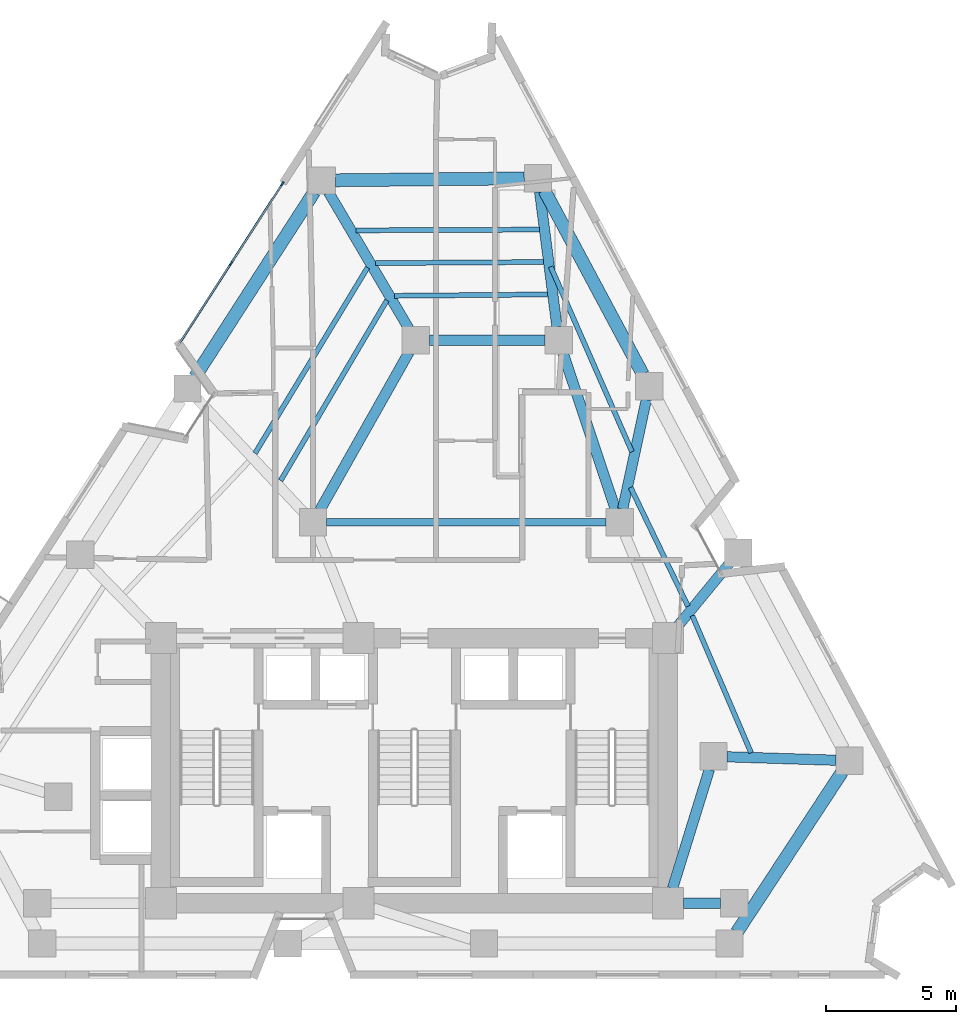
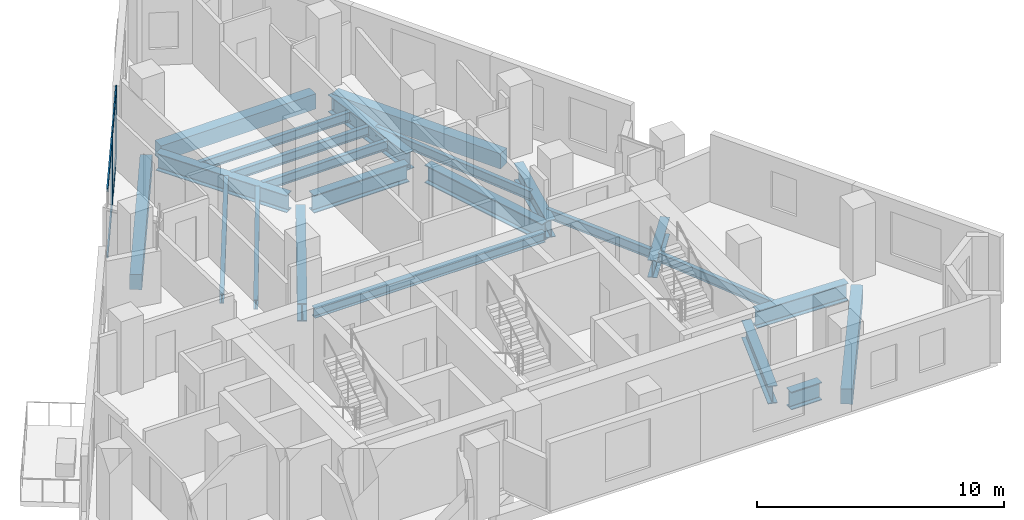
# One storey, part 3 of 11: 23 beams, 6 members, 1 element without a shape of its own.
"""IFC4 building model written with IfcOpenShell, lengths in metres."""

from ifc_helpers import new_model, si_unit, direction, frame, origin, origin_2d, place, context, subcontext, project, spatial, rectangle, i_section, extrude, material, layer, layer_set, material_profile, profile_set, type_object, element, aggregate, save


model = new_model("IFC4")

# Units and contexts
model_context = context("Model", 3, precision=1e-05, world=origin(), true_north=direction((0.0, 1.0)))
body_context = subcontext(model_context, "Body", "Model", "MODEL_VIEW")
ifc_project = project(units=[si_unit("LENGTHUNIT", "METRE"), si_unit("AREAUNIT", "SQUARE_METRE"), si_unit("VOLUMEUNIT", "CUBIC_METRE"), si_unit("PLANEANGLEUNIT", "RADIAN"), si_unit("MASSUNIT", "GRAM", prefix="KILO")], contexts=[model_context])

# Site, building, storey
site_placement = place(None, origin())
site = spatial("IfcSite", under=ifc_project, at=site_placement, CompositionType="ELEMENT")
building_placement = place(site_placement, origin())
building = spatial("IfcBuilding", under=site, at=building_placement, Name="Almagre Mirador Tower", CompositionType="ELEMENT")
storey_placement = place(building_placement, frame((0.0, 0.0, 178.800048828125)))
storey = spatial("IfcBuildingStorey", under=building, at=storey_placement, Name="L46", CompositionType="ELEMENT", Elevation=178.800048828125)

# Beams
ifc_material_1 = material(Name="Steel ASTM A992 Grade 50", Category="steel")
ifc_material_profile_1 = material_profile(ifc_material_1, i_section(OverallWidth=0.281982421875, OverallDepth=0.467041015625, WebThickness=0.01220703125, FlangeThickness=0.01953125, FilletRadius=0.01611328125, at=origin_2d()), Name="W18X86")
ifc_profile_set_1 = profile_set([ifc_material_profile_1], Name="Steel ASTM A992 Grade 50")
beam_type_1 = type_object("IfcBeamType", Name="BM-BAL-W18X86", PredefinedType="JOIST", material=ifc_profile_set_1)
beam_1_placement = place(storey_placement, frame((33.925048828125, 19.199951171875, -0.483642578125), z_axis=(1.0, 0.0, 0.0), x_axis=(0.0, 1.0, 0.0)))
element("IfcBeam", 1, at=beam_1_placement, inside=storey, type_object=beam_type_1, Name="L46 secondary header beam BB-01", PredefinedType="JOIST", context=body_context, shape_type="SweptSolid", body=[
    extrude(i_section(OverallWidth=0.281982421875, OverallDepth=0.467041015625, WebThickness=0.01220703125, FlangeThickness=0.01953125, FilletRadius=0.01611328125, at=origin_2d()), origin(), (0.0, 0.0, 1.0), 10.75),
])
ifc_material_2 = material(Name="Steel ASTM A992 Grade 50", Category="steel")
ifc_material_profile_2 = material_profile(ifc_material_2, i_section(OverallWidth=0.19091796875, OverallDepth=0.4599609375, WebThickness=0.010009765625, FlangeThickness=0.01611328125, FilletRadius=0.01611328125, at=origin_2d()), Name="W18X55")
ifc_profile_set_2 = profile_set([ifc_material_profile_2], Name="Steel ASTM A992 Grade 50")
beam_type_2 = type_object("IfcBeamType", Name="BM-JST-W18X55", PredefinedType="JOIST", material=ifc_profile_set_2)
beam_2_placement = place(storey_placement, frame((50.250244140625, 10.3349609375, -0.47998046875), z_axis=(-0.394268360647, 0.918995353521, 0.0), x_axis=(-0.918995353521, -0.394268360647, 0.0)))
element("IfcBeam", 2, at=beam_2_placement, inside=storey, type_object=beam_type_2, Name="L46 secondary floor joist PC05-PC06.3", PredefinedType="JOIST", context=body_context, shape_type="SweptSolid", body=[
    extrude(i_section(OverallWidth=0.19091796875, OverallDepth=0.4599609375, WebThickness=0.010009765625, FlangeThickness=0.01611328125, FilletRadius=0.01611328125, at=origin_2d()), origin(), (0.0, 0.0, 1.0), 5.739501953125),
])
beam_3_placement = place(storey_placement, frame((47.822021484375, 15.97265625, -0.47998046875), z_axis=(-0.434740994788, 0.900555532686, 0.0), x_axis=(-0.900555532686, -0.434740994788, 0.0)))
element("IfcBeam", 3, at=beam_3_placement, inside=storey, type_object=beam_type_2, Name="L46 secondary floor joist PC06-PC07.3", PredefinedType="JOIST", context=body_context, shape_type="SweptSolid", body=[
    extrude(i_section(OverallWidth=0.19091796875, OverallDepth=0.4599609375, WebThickness=0.010009765625, FlangeThickness=0.01611328125, FilletRadius=0.01611328125, at=origin_2d()), origin(), (0.0, 0.0, 1.0), 5.075439453125),
])
beam_4_placement = place(storey_placement, frame((45.66650390625, 21.91552734375, -0.47998046875), z_axis=(-0.401924525643, 0.915672799469, 0.0), x_axis=(-0.915672799469, -0.401924525643, 0.0)))
element("IfcBeam", 4, at=beam_4_placement, inside=storey, type_object=beam_type_2, Name="L46 secondary floor joist PC07-PC08.2", PredefinedType="JOIST", context=body_context, shape_type="SweptSolid", body=[
    extrude(i_section(OverallWidth=0.19091796875, OverallDepth=0.4599609375, WebThickness=0.010009765625, FlangeThickness=0.01611328125, FilletRadius=0.01611328125, at=origin_2d()), origin(), (0.0, 0.0, 1.0), 7.770263671875),
])
beam_5_placement = place(storey_placement, frame((42.10400390625, 30.45849609375, -0.47998046875), z_axis=(-0.999991632659, -0.004090796071, 0.0), x_axis=(0.004090796071, -0.999991632659, 0.0)))
element("IfcBeam", 5, at=beam_5_placement, inside=storey, type_object=beam_type_2, Name="L46 secondary floor joist PC08-PC09.1", PredefinedType="JOIST", context=body_context, shape_type="SweptSolid", body=[
    extrude(i_section(OverallWidth=0.19091796875, OverallDepth=0.4599609375, WebThickness=0.010009765625, FlangeThickness=0.01611328125, FilletRadius=0.01611328125, at=origin_2d()), origin(), (0.0, 0.0, 1.0), 7.042236328125),
])
beam_6_placement = place(storey_placement, frame((42.263916015625, 29.2119140625, -0.47998046875), z_axis=(-0.999980331831, -0.006271837952, 0.0), x_axis=(0.006271837952, -0.999980331831, 0.0)))
element("IfcBeam", 6, at=beam_6_placement, inside=storey, type_object=beam_type_2, Name="L46 secondary floor joist PC08-PC09.2", PredefinedType="JOIST", context=body_context, shape_type="SweptSolid", body=[
    extrude(i_section(OverallWidth=0.19091796875, OverallDepth=0.4599609375, WebThickness=0.010009765625, FlangeThickness=0.01611328125, FilletRadius=0.01611328125, at=origin_2d()), origin(), (0.0, 0.0, 1.0), 6.4619140625),
])
beam_7_placement = place(storey_placement, frame((42.423828125, 27.965087890625, -0.47998046875), z_axis=(-0.999960909952, -0.008841864495, 0.0), x_axis=(0.008841864495, -0.999960909952, 0.0)))
element("IfcBeam", 7, at=beam_7_placement, inside=storey, type_object=beam_type_2, Name="L46 secondary floor joist PC08-PC09.3", PredefinedType="JOIST", context=body_context, shape_type="SweptSolid", body=[
    extrude(i_section(OverallWidth=0.19091796875, OverallDepth=0.4599609375, WebThickness=0.010009765625, FlangeThickness=0.01611328125, FilletRadius=0.01611328125, at=origin_2d()), origin(), (0.0, 0.0, 1.0), 5.88134765625),
])
beam_8_placement = place(storey_placement, frame((35.499267578125, 28.99951171875, -0.47998046875), z_axis=(-0.518248582566, -0.855230031435, 0.0), x_axis=(0.855230031435, -0.518248582566, 0.0)))
element("IfcBeam", 8, at=beam_8_placement, inside=storey, type_object=beam_type_2, Name="L46 secondary floor joist PC09-PC10.2", PredefinedType="JOIST", context=body_context, shape_type="SweptSolid", body=[
    extrude(i_section(OverallWidth=0.19091796875, OverallDepth=0.4599609375, WebThickness=0.010009765625, FlangeThickness=0.01611328125, FilletRadius=0.01611328125, at=origin_2d()), origin(), (0.0, 0.0, 1.0), 8.3505859375),
])
beam_9_placement = place(storey_placement, frame((36.241943359375, 27.739501953125, -0.47998046875), z_axis=(-0.507774337639, -0.861490117201, 0.0), x_axis=(0.861490117201, -0.507774337639, 0.0)))
element("IfcBeam", 9, at=beam_9_placement, inside=storey, type_object=beam_type_2, Name="L46 secondary floor joist PC09-PC10.3", PredefinedType="JOIST", context=body_context, shape_type="SweptSolid", body=[
    extrude(i_section(OverallWidth=0.19091796875, OverallDepth=0.4599609375, WebThickness=0.010009765625, FlangeThickness=0.01611328125, FilletRadius=0.01611328125, at=origin_2d()), origin(), (0.0, 0.0, 1.0), 8.047119140625),
])
ifc_material_3 = material(Name="Precast concrete C50/60", Category="concrete")
ifc_material_profile_3 = material_profile(ifc_material_3, rectangle(XDim=0.5, YDim=0.75, at=origin_2d()), Name="RC500X750")
ifc_profile_set_3 = profile_set([ifc_material_profile_3], Name="Precast concrete C50/60")
beam_type_3 = type_object("IfcBeamType", Name="BM-SPN-RC500X750", PredefinedType="SPANDREL", material=ifc_profile_set_3)
beam_10_placement = place(storey_placement, frame((49.7041015625, 3.43896484375, -0.625), z_axis=(0.548818634592, 0.835941449101, 0.0), x_axis=(-0.835941449101, 0.548818634592, 0.0)))
element("IfcBeam", 10, at=beam_10_placement, inside=storey, type_object=beam_type_3, Name="L46 perimeter spandrel beam PC04-PC05", PredefinedType="SPANDREL", context=body_context, shape_type="SweptSolid", body=[
    extrude(rectangle(XDim=0.5, YDim=0.75, at=origin_2d()), origin(), (0.0, 0.0, 1.0), 7.364501953125),
])
beam_11_placement = place(storey_placement, frame((46.082275390625, 24.89697265625, -0.625), z_axis=(-0.471728183201, 0.881744022477, 0.0), x_axis=(-0.881744022477, -0.471728183201, 0.0)))
element("IfcBeam", 11, at=beam_11_placement, inside=storey, type_object=beam_type_3, Name="L46 perimeter spandrel beam PC07-PC08", PredefinedType="SPANDREL", context=body_context, shape_type="SweptSolid", body=[
    extrude(rectangle(XDim=0.5, YDim=0.75, at=origin_2d()), origin(), (0.0, 0.0, 1.0), 8.02294921875),
])
beam_12_placement = place(storey_placement, frame((41.52490234375, 32.4287109375, -0.625), z_axis=(-0.999948885843, -0.010110672667, 0.0), x_axis=(0.010110672667, -0.999948885843, 0.0)))
element("IfcBeam", 12, at=beam_12_placement, inside=storey, type_object=beam_type_3, Name="L46 perimeter spandrel beam PC08-PC09", PredefinedType="SPANDREL", context=body_context, shape_type="SweptSolid", body=[
    extrude(rectangle(XDim=0.5, YDim=0.75, at=origin_2d()), origin(), (0.0, 0.0, 1.0), 7.268310546875),
])
beam_13_placement = place(storey_placement, frame((33.447509765625, 31.90869140625, -0.625), z_axis=(-0.542037572895, -0.840354252426, 0.0), x_axis=(0.840354252426, -0.542037572895, 0.0)))
element("IfcBeam", 13, at=beam_13_placement, inside=storey, type_object=beam_type_3, Name="L46 perimeter spandrel beam PC09-PC10", PredefinedType="SPANDREL", context=body_context, shape_type="SweptSolid", body=[
    extrude(rectangle(XDim=0.5, YDim=0.75, at=origin_2d()), origin(), (0.0, 0.0, 1.0), 8.469482421875),
])
ifc_material_4 = material(Name="Steel ASTM A992 Grade 50", Category="steel")
ifc_material_profile_4 = material_profile(ifc_material_4, i_section(OverallWidth=0.39892578125, OverallDepth=0.85595703125, WebThickness=0.018310546875, FlangeThickness=0.029296875, FilletRadius=0.02490234375, at=origin_2d()), Name="W33X201")
ifc_profile_set_4 = profile_set([ifc_material_profile_4], Name="Steel ASTM A992 Grade 50")
beam_type_4 = type_object("IfcBeamType", Name="BM-STL-W33X201", PredefinedType="BEAM", material=ifc_profile_set_4)
beam_14_placement = place(storey_placement, frame((53.50927734375, 10.050537109375, -0.677978515625), z_axis=(-0.999496710108, 0.031722649376, 0.0), x_axis=(-0.031722649376, -0.999496710108, 0.0)))
element("IfcBeam", 14, at=beam_14_placement, inside=storey, type_object=beam_type_4, Name="L46 radial floor girder PC05-MC3", PredefinedType="BEAM", context=body_context, shape_type="SweptSolid", body=[
    extrude(i_section(OverallWidth=0.39892578125, OverallDepth=0.85595703125, WebThickness=0.018310546875, FlangeThickness=0.029296875, FilletRadius=0.02490234375, at=origin_2d()), origin(), (0.0, 0.0, 1.0), 4.186767578125),
])
beam_15_placement = place(storey_placement, frame((49.42041015625, 17.628662109375, -0.677978515625), z_axis=(-0.635660759113, -0.771968522237, 0.0), x_axis=(0.771968522237, -0.635660759113, 0.0)))
element("IfcBeam", 15, at=beam_15_placement, inside=storey, type_object=beam_type_4, Name="L46 radial floor girder PC06-CC6", PredefinedType="BEAM", context=body_context, shape_type="SweptSolid", body=[
    extrude(i_section(OverallWidth=0.39892578125, OverallDepth=0.85595703125, WebThickness=0.018310546875, FlangeThickness=0.029296875, FilletRadius=0.02490234375, at=origin_2d()), origin(), (0.0, 0.0, 1.0), 3.129150390625),
])
beam_16_placement = place(storey_placement, frame((46.21923828125, 23.9208984375, -0.677978515625), z_axis=(-0.21103551524, -0.977478394292, 0.0), x_axis=(0.977478394292, -0.21103551524, 0.0)))
element("IfcBeam", 16, at=beam_16_placement, inside=storey, type_object=beam_type_4, Name="L46 radial floor girder PC07-MC5", PredefinedType="BEAM", context=body_context, shape_type="SweptSolid", body=[
    extrude(i_section(OverallWidth=0.39892578125, OverallDepth=0.85595703125, WebThickness=0.018310546875, FlangeThickness=0.029296875, FilletRadius=0.02490234375, at=origin_2d()), origin(), (0.0, 0.0, 1.0), 4.3046875),
])
beam_17_placement = place(storey_placement, frame((42.11669921875, 31.913330078125, -0.677978515625), z_axis=(0.127311366157, -0.99186280102, 0.0), x_axis=(0.99186280102, 0.127311366157, 0.0)))
element("IfcBeam", 17, at=beam_17_placement, inside=storey, type_object=beam_type_4, Name="L46 radial floor girder PC08-MC6", PredefinedType="BEAM", context=body_context, shape_type="SweptSolid", body=[
    extrude(i_section(OverallWidth=0.39892578125, OverallDepth=0.85595703125, WebThickness=0.018310546875, FlangeThickness=0.029296875, FilletRadius=0.02490234375, at=origin_2d()), origin(), (0.0, 0.0, 1.0), 5.235107421875),
])
beam_18_placement = place(storey_placement, frame((33.998291015625, 31.8974609375, -0.677978515625), z_axis=(0.507048179997, -0.861917712524, 0.0), x_axis=(0.861917712524, 0.507048179997, 0.0)))
element("IfcBeam", 18, at=beam_18_placement, inside=storey, type_object=beam_type_4, Name="L46 radial floor girder PC09-MC7", PredefinedType="BEAM", context=body_context, shape_type="SweptSolid", body=[
    extrude(i_section(OverallWidth=0.39892578125, OverallDepth=0.85595703125, WebThickness=0.018310546875, FlangeThickness=0.029296875, FilletRadius=0.02490234375, at=origin_2d()), origin(), (0.0, 0.0, 1.0), 6.085205078125),
])
ifc_material_5 = material(Name="Steel ASTM A992 Grade 50", Category="steel")
ifc_material_profile_5 = material_profile(ifc_material_5, i_section(OverallWidth=0.404052734375, OverallDepth=0.884033203125, WebThickness=0.0244140625, FlangeThickness=0.0439453125, FilletRadius=0.02490234375, at=origin_2d()), Name="W33X291")
ifc_profile_set_5 = profile_set([ifc_material_profile_5], Name="Steel ASTM A992 Grade 50")
beam_type_5 = type_object("IfcBeamType", Name="BM-STL-W33X291", PredefinedType="BEAM", material=ifc_profile_set_5)
beam_19_placement = place(storey_placement, frame((37.875, 26.199951171875, -0.692138671875), z_axis=(1.0, 0.0, 0.0), x_axis=(0.0, 1.0, 0.0)))
element("IfcBeam", 19, at=beam_19_placement, inside=storey, type_object=beam_type_5, Name="L46 core tie girder MC7-MC6", PredefinedType="BEAM", context=body_context, shape_type="SweptSolid", body=[
    extrude(i_section(OverallWidth=0.404052734375, OverallDepth=0.884033203125, WebThickness=0.0244140625, FlangeThickness=0.0439453125, FilletRadius=0.02490234375, at=origin_2d()), origin(), (0.0, 0.0, 1.0), 4.449951171875),
])
beam_20_placement = place(storey_placement, frame((49.074951171875, 4.550048828125, -0.692138671875), z_axis=(-1.0, 0.0, 0.0), x_axis=(0.0, -1.0, 0.0)))
element("IfcBeam", 20, at=beam_20_placement, inside=storey, type_object=beam_type_5, Name="L46 core tie girder MC2-CC3", PredefinedType="BEAM", context=body_context, shape_type="SweptSolid", body=[
    extrude(i_section(OverallWidth=0.404052734375, OverallDepth=0.884033203125, WebThickness=0.0244140625, FlangeThickness=0.0439453125, FilletRadius=0.02490234375, at=origin_2d()), origin(), (0.0, 0.0, 1.0), 1.425048828125),
])
beam_21_placement = place(storey_placement, frame((48.644775390625, 9.698486328125, -0.692138671875), z_axis=(-0.295879743348, -0.955225197258, 0.0), x_axis=(0.955225197258, -0.295879743348, 0.0)))
element("IfcBeam", 21, at=beam_21_placement, inside=storey, type_object=beam_type_5, Name="L46 core tie girder MC3-CC3", PredefinedType="BEAM", context=body_context, shape_type="SweptSolid", body=[
    extrude(i_section(OverallWidth=0.404052734375, OverallDepth=0.884033203125, WebThickness=0.0244140625, FlangeThickness=0.0439453125, FilletRadius=0.02490234375, at=origin_2d()), origin(), (0.0, 0.0, 1.0), 4.789794921875),
])
beam_22_placement = place(storey_placement, frame((43.01708984375, 25.702392578125, -0.692138671875), z_axis=(0.318262189587, -0.948002731367, 0.0), x_axis=(0.948002731367, 0.318262189587, 0.0)))
element("IfcBeam", 22, at=beam_22_placement, inside=storey, type_object=beam_type_5, Name="L46 core tie girder MC6-MC5", PredefinedType="BEAM", context=body_context, shape_type="SweptSolid", body=[
    extrude(i_section(OverallWidth=0.404052734375, OverallDepth=0.884033203125, WebThickness=0.0244140625, FlangeThickness=0.0439453125, FilletRadius=0.02490234375, at=origin_2d()), origin(), (0.0, 0.0, 1.0), 6.333984375),
])
beam_23_placement = place(storey_placement, frame((37.092041015625, 25.742919921875, -0.692138671875), z_axis=(-0.491443510044, -0.870909453638, 0.0), x_axis=(0.870909453638, -0.491443510044, 0.0)))
element("IfcBeam", 23, at=beam_23_placement, inside=storey, type_object=beam_type_5, Name="L46 core tie girder MC7-MC8", PredefinedType="BEAM", context=body_context, shape_type="SweptSolid", body=[
    extrude(i_section(OverallWidth=0.404052734375, OverallDepth=0.884033203125, WebThickness=0.0244140625, FlangeThickness=0.0439453125, FilletRadius=0.02490234375, at=origin_2d()), origin(), (0.0, 0.0, 1.0), 6.98779296875),
])

# Curtain wall, members
ifc_material_6 = material(Name="Black anodized aluminium", Category="aluminium")
ifc_layer = layer(ifc_material_6, 0.199951171875)
ifc_layer_set = layer_set([ifc_layer], Name="Black anodized aluminium")
curtain_wall_type = type_object("IfcCurtainWallType", Name="CW-RES-H-SYS", PredefinedType="NOTDEFINED", material=ifc_layer_set)
curtain_wall_placement = place(storey_placement, origin())
curtain_wall = element("IfcCurtainWall", 24, at=curtain_wall_placement, inside=storey, type_object=curtain_wall_type, Name="L46 curtain wall run 02", PredefinedType="NOTDEFINED")
ifc_material_7 = material(Name="Black anodized aluminium", Category="aluminium")
ifc_material_profile_6 = material_profile(ifc_material_7, rectangle(XDim=0.06494140625, YDim=0.179931640625, at=origin_2d()), Name="CWM65X180")
ifc_profile_set_6 = profile_set([ifc_material_profile_6], Name="Black anodized aluminium")
member_type_1 = type_object("IfcMemberType", Name="MBR-CWM65X180", PredefinedType="MULLION", material=ifc_profile_set_6)
member_1_placement = place(storey_placement, frame((30.2431640625, 29.154052734375, 0.0), z_axis=(0.0, 0.0, 1.0), x_axis=(-0.840361480381, 0.542026366786, 0.0)))
member_1 = element("IfcMember", 25, at=member_1_placement, type_object=member_type_1, Name="CW-3 mullion 2", PredefinedType="MULLION", context=body_context, shape_type="SweptSolid", body=[
    extrude(rectangle(XDim=0.06494140625, YDim=0.179931640625, at=origin_2d()), origin(), (0.0, 0.0, 1.0), 3.349853515625),
])
member_2_placement = place(storey_placement, frame((32.221923828125, 32.2216796875, 0.0), z_axis=(0.0, 0.0, 1.0), x_axis=(-0.840361480381, 0.542026366786, 0.0)))
member_2 = element("IfcMember", 26, at=member_2_placement, type_object=member_type_1, Name="CW-3 mullion 3", PredefinedType="MULLION", context=body_context, shape_type="SweptSolid", body=[
    extrude(rectangle(XDim=0.06494140625, YDim=0.179931640625, at=origin_2d()), origin(), (0.0, 0.0, 1.0), 3.349853515625),
])
ifc_material_8 = material(Name="Black anodized aluminium", Category="aluminium")
ifc_material_profile_7 = material_profile(ifc_material_8, rectangle(XDim=0.06494140625, YDim=0.14990234375, at=origin_2d()), Name="CWT65X150")
ifc_profile_set_7 = profile_set([ifc_material_profile_7], Name="Black anodized aluminium")
member_type_2 = type_object("IfcMemberType", Name="MBR-CWT65X150", PredefinedType="USERDEFINED", material=ifc_profile_set_7)
member_3_placement = place(storey_placement, frame((28.2822265625, 26.113525390625, 0.032470703125), z_axis=(0.542002789562, 0.840376687032, 0.0), x_axis=(-0.840376687032, 0.542002789562, 0.0)))
member_3 = element("IfcMember", 27, at=member_3_placement, type_object=member_type_2, Name="CW-3 transom 1.1", ObjectType="TRANSOM", PredefinedType="USERDEFINED", context=body_context, shape_type="SweptSolid", body=[
    extrude(rectangle(XDim=0.06494140625, YDim=0.14990234375, at=origin_2d()), origin(), (0.0, 0.0, 1.0), 3.58544921875),
])
member_4_placement = place(storey_placement, frame((28.2822265625, 26.113525390625, 3.3173828125), z_axis=(0.542002789562, 0.840376687032, 0.0), x_axis=(-0.840376687032, 0.542002789562, 0.0)))
member_4 = element("IfcMember", 28, at=member_4_placement, type_object=member_type_2, Name="CW-3 transom 1.2", ObjectType="TRANSOM", PredefinedType="USERDEFINED", context=body_context, shape_type="SweptSolid", body=[
    extrude(rectangle(XDim=0.06494140625, YDim=0.14990234375, at=origin_2d()), origin(), (0.0, 0.0, 1.0), 3.58544921875),
])
member_5_placement = place(storey_placement, frame((30.260986328125, 29.181396484375, 0.032470703125), z_axis=(0.54203380541, 0.840356682483, 0.0), x_axis=(-0.840356682483, 0.54203380541, 0.0)))
member_5 = element("IfcMember", 29, at=member_5_placement, type_object=member_type_2, Name="CW-3 transom 2.1", ObjectType="TRANSOM", PredefinedType="USERDEFINED", context=body_context, shape_type="SweptSolid", body=[
    extrude(rectangle(XDim=0.06494140625, YDim=0.14990234375, at=origin_2d()), origin(), (0.0, 0.0, 1.0), 3.585205078125),
])
member_6_placement = place(storey_placement, frame((30.260986328125, 29.181396484375, 3.3173828125), z_axis=(0.54203380541, 0.840356682483, 0.0), x_axis=(-0.840356682483, 0.54203380541, 0.0)))
member_6 = element("IfcMember", 30, at=member_6_placement, type_object=member_type_2, Name="CW-3 transom 2.2", ObjectType="TRANSOM", PredefinedType="USERDEFINED", context=body_context, shape_type="SweptSolid", body=[
    extrude(rectangle(XDim=0.06494140625, YDim=0.14990234375, at=origin_2d()), origin(), (0.0, 0.0, 1.0), 3.585205078125),
])
aggregate(curtain_wall, [member_1, member_2, member_3, member_4, member_5, member_6])

save(model, "model.ifc")
